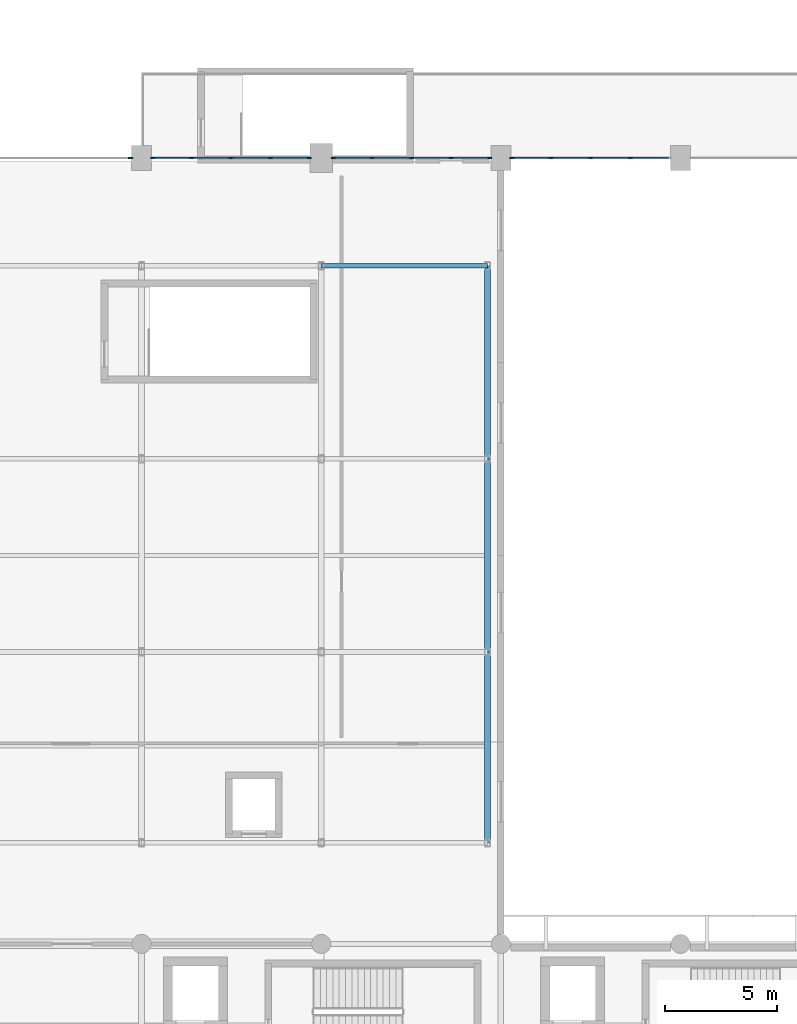
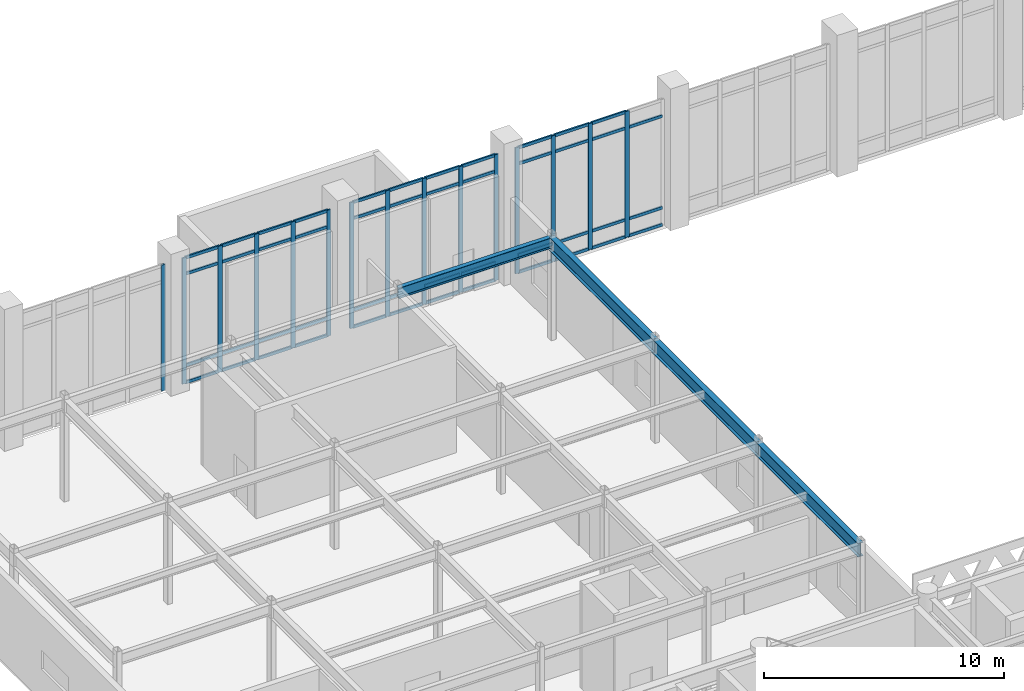
# One storey, part 18 of 84: 62 members, 4 beams, 4 elements without a shape of their own.
"""IFC4 building model written with IfcOpenShell, lengths in metres."""

from ifc_helpers import new_model, si_unit, direction, frame, origin, origin_2d, place, context, subcontext, project, spatial, rectangle, i_section, extrude, material, layer, layer_set, material_profile, profile_set, type_object, element, aggregate, save


model = new_model("IFC4")

# Units and contexts
model_context = context("Model", 3, precision=1e-05, world=origin(), true_north=direction((0.0, 1.0)))
body_context = subcontext(model_context, "Body", "Model", "MODEL_VIEW")
ifc_project = project(units=[si_unit("LENGTHUNIT", "METRE"), si_unit("AREAUNIT", "SQUARE_METRE"), si_unit("VOLUMEUNIT", "CUBIC_METRE"), si_unit("PLANEANGLEUNIT", "RADIAN"), si_unit("MASSUNIT", "GRAM", prefix="KILO")], contexts=[model_context])

# Site, building, storey
site_placement = place(None, origin())
site = spatial("IfcSite", under=ifc_project, at=site_placement, CompositionType="ELEMENT")
building_placement = place(site_placement, origin())
building = spatial("IfcBuilding", under=site, at=building_placement, Name="Tlacozan Convention Centre", CompositionType="ELEMENT")
storey_placement = place(building_placement, frame((0.0, 0.0, 6.0)))
storey = spatial("IfcBuildingStorey", under=building, at=storey_placement, Name="L01", CompositionType="ELEMENT", Elevation=6.0)

# Curtain wall, member
ifc_material_1 = material(Name="Dark Bronze Anodised Aluminium", Category="aluminium")
ifc_layer = layer(ifc_material_1, 0.199951171875)
ifc_layer_set = layer_set([ifc_layer], Name="Dark Bronze Anodised Aluminium")
curtain_wall_type = type_object("IfcCurtainWallType", Name="Exhibition Clerestory Curtain Wall CW10", PredefinedType="NOTDEFINED", material=ifc_layer_set)
curtain_wall_1_placement = place(storey_placement, origin())
curtain_wall_1 = element("IfcCurtainWall", 1, at=curtain_wall_1_placement, inside=storey, type_object=curtain_wall_type, Name="L01 CW-10 Run 10", PredefinedType="NOTDEFINED")
ifc_material_profile_1 = material_profile(ifc_material_1, rectangle(XDim=0.074951171875, YDim=0.199951171875, at=origin_2d()), Name="ALU 75x200")
ifc_profile_set_1 = profile_set([ifc_material_profile_1], Name="Dark Bronze Anodised Aluminium")
member_type_1 = type_object("IfcMemberType", Name="Curtain Wall Heavy Mullion 75x200", PredefinedType="MULLION", material=ifc_profile_set_1)
member_1_placement = place(storey_placement, frame((15.49755859375, 62.0, 0.0), z_axis=(0.0, 0.0, 1.0), x_axis=(0.0, 1.0, 0.0)))
member_1 = element("IfcMember", 2, at=member_1_placement, type_object=member_type_1, Name="CW-10 mullion 5", PredefinedType="MULLION", context=body_context, shape_type="SweptSolid", body=[
    extrude(rectangle(XDim=0.074951171875, YDim=0.199951171875, at=origin_2d()), origin(), (0.0, 0.0, 1.0), 6.39990234375),
])
aggregate(curtain_wall_1, [member_1])

# Curtain wall, members
curtain_wall_2_placement = place(storey_placement, origin())
curtain_wall_2 = element("IfcCurtainWall", 3, at=curtain_wall_2_placement, inside=storey, type_object=curtain_wall_type, Name="L01 CW-10 Run 11", PredefinedType="NOTDEFINED")
member_2_placement = place(storey_placement, frame((16.50244140625, 62.0, 0.0), z_axis=(0.0, 0.0, 1.0), x_axis=(0.0, 1.0, 0.0)))
member_2 = element("IfcMember", 4, at=member_2_placement, type_object=member_type_1, Name="CW-10 mullion 1", PredefinedType="MULLION", context=body_context, shape_type="SweptSolid", body=[
    extrude(rectangle(XDim=0.074951171875, YDim=0.199951171875, at=origin_2d()), origin(), (0.0, 0.0, 1.0), 6.39990234375),
])
member_3_placement = place(storey_placement, frame((18.219970703125, 62.0, 0.0), z_axis=(0.0, 0.0, 1.0), x_axis=(0.0, 1.0, 0.0)))
member_3 = element("IfcMember", 5, at=member_3_placement, type_object=member_type_1, Name="CW-10 mullion 2", PredefinedType="MULLION", context=body_context, shape_type="SweptSolid", body=[
    extrude(rectangle(XDim=0.074951171875, YDim=0.199951171875, at=origin_2d()), origin(), (0.0, 0.0, 1.0), 6.39990234375),
])
member_4_placement = place(storey_placement, frame((19.97509765625, 62.0, 0.0), z_axis=(0.0, 0.0, 1.0), x_axis=(0.0, 1.0, 0.0)))
member_4 = element("IfcMember", 6, at=member_4_placement, type_object=member_type_1, Name="CW-10 mullion 3", PredefinedType="MULLION", context=body_context, shape_type="SweptSolid", body=[
    extrude(rectangle(XDim=0.074951171875, YDim=0.199951171875, at=origin_2d()), origin(), (0.0, 0.0, 1.0), 6.39990234375),
])
member_5_placement = place(storey_placement, frame((21.72998046875, 62.0, 0.0), z_axis=(0.0, 0.0, 1.0), x_axis=(0.0, 1.0, 0.0)))
member_5 = element("IfcMember", 7, at=member_5_placement, type_object=member_type_1, Name="CW-10 mullion 4", PredefinedType="MULLION", context=body_context, shape_type="SweptSolid", body=[
    extrude(rectangle(XDim=0.074951171875, YDim=0.199951171875, at=origin_2d()), origin(), (0.0, 0.0, 1.0), 6.39990234375),
])
member_6_placement = place(storey_placement, frame((23.447509765625, 62.0, 0.0), z_axis=(0.0, 0.0, 1.0), x_axis=(0.0, 1.0, 0.0)))
member_6 = element("IfcMember", 8, at=member_6_placement, type_object=member_type_1, Name="CW-10 mullion 5", PredefinedType="MULLION", context=body_context, shape_type="SweptSolid", body=[
    extrude(rectangle(XDim=0.074951171875, YDim=0.199951171875, at=origin_2d()), origin(), (0.0, 0.0, 1.0), 6.39990234375),
])

curtain_wall_3_placement = place(storey_placement, origin())
curtain_wall_3 = element("IfcCurtainWall", 9, at=curtain_wall_3_placement, inside=storey, type_object=curtain_wall_type, Name="L01 CW-10 Run 12", PredefinedType="NOTDEFINED")
member_7_placement = place(storey_placement, frame((24.552490234375, 62.0, 0.0), z_axis=(0.0, 0.0, 1.0), x_axis=(0.0, 1.0, 0.0)))
member_7 = element("IfcMember", 10, at=member_7_placement, type_object=member_type_1, Name="CW-10 mullion 1", PredefinedType="MULLION", context=body_context, shape_type="SweptSolid", body=[
    extrude(rectangle(XDim=0.074951171875, YDim=0.199951171875, at=origin_2d()), origin(), (0.0, 0.0, 1.0), 6.39990234375),
])
member_8_placement = place(storey_placement, frame((26.27001953125, 62.0, 0.0), z_axis=(0.0, 0.0, 1.0), x_axis=(0.0, 1.0, 0.0)))
member_8 = element("IfcMember", 11, at=member_8_placement, type_object=member_type_1, Name="CW-10 mullion 2", PredefinedType="MULLION", context=body_context, shape_type="SweptSolid", body=[
    extrude(rectangle(XDim=0.074951171875, YDim=0.199951171875, at=origin_2d()), origin(), (0.0, 0.0, 1.0), 6.39990234375),
])
member_9_placement = place(storey_placement, frame((28.02490234375, 62.0, 0.0), z_axis=(0.0, 0.0, 1.0), x_axis=(0.0, 1.0, 0.0)))
member_9 = element("IfcMember", 12, at=member_9_placement, type_object=member_type_1, Name="CW-10 mullion 3", PredefinedType="MULLION", context=body_context, shape_type="SweptSolid", body=[
    extrude(rectangle(XDim=0.074951171875, YDim=0.199951171875, at=origin_2d()), origin(), (0.0, 0.0, 1.0), 6.39990234375),
])
member_10_placement = place(storey_placement, frame((29.780029296875, 62.0, 0.0), z_axis=(0.0, 0.0, 1.0), x_axis=(0.0, 1.0, 0.0)))
member_10 = element("IfcMember", 13, at=member_10_placement, type_object=member_type_1, Name="CW-10 mullion 4", PredefinedType="MULLION", context=body_context, shape_type="SweptSolid", body=[
    extrude(rectangle(XDim=0.074951171875, YDim=0.199951171875, at=origin_2d()), origin(), (0.0, 0.0, 1.0), 6.39990234375),
])
member_11_placement = place(storey_placement, frame((31.49755859375, 62.0, 0.0), z_axis=(0.0, 0.0, 1.0), x_axis=(0.0, 1.0, 0.0)))
member_11 = element("IfcMember", 14, at=member_11_placement, type_object=member_type_1, Name="CW-10 mullion 5", PredefinedType="MULLION", context=body_context, shape_type="SweptSolid", body=[
    extrude(rectangle(XDim=0.074951171875, YDim=0.199951171875, at=origin_2d()), origin(), (0.0, 0.0, 1.0), 6.39990234375),
])

curtain_wall_4_placement = place(storey_placement, origin())
curtain_wall_4 = element("IfcCurtainWall", 15, at=curtain_wall_4_placement, inside=storey, type_object=curtain_wall_type, Name="L01 CW-10 Run 13", PredefinedType="NOTDEFINED")
member_12_placement = place(storey_placement, frame((32.50244140625, 62.0, 0.0), z_axis=(0.0, 0.0, 1.0), x_axis=(0.0, 1.0, 0.0)))
member_12 = element("IfcMember", 16, at=member_12_placement, type_object=member_type_1, Name="CW-10 mullion 1", PredefinedType="MULLION", context=body_context, shape_type="SweptSolid", body=[
    extrude(rectangle(XDim=0.074951171875, YDim=0.199951171875, at=origin_2d()), origin(), (0.0, 0.0, 1.0), 6.39990234375),
])
member_13_placement = place(storey_placement, frame((34.232421875, 62.0, 0.0), z_axis=(0.0, 0.0, 1.0), x_axis=(0.0, 1.0, 0.0)))
member_13 = element("IfcMember", 17, at=member_13_placement, type_object=member_type_1, Name="CW-10 mullion 2", PredefinedType="MULLION", context=body_context, shape_type="SweptSolid", body=[
    extrude(rectangle(XDim=0.074951171875, YDim=0.199951171875, at=origin_2d()), origin(), (0.0, 0.0, 1.0), 6.39990234375),
])
member_14_placement = place(storey_placement, frame((36.0, 62.0, 0.0), z_axis=(0.0, 0.0, 1.0), x_axis=(0.0, 1.0, 0.0)))
member_14 = element("IfcMember", 18, at=member_14_placement, type_object=member_type_1, Name="CW-10 mullion 3", PredefinedType="MULLION", context=body_context, shape_type="SweptSolid", body=[
    extrude(rectangle(XDim=0.074951171875, YDim=0.199951171875, at=origin_2d()), origin(), (0.0, 0.0, 1.0), 6.39990234375),
])
member_15_placement = place(storey_placement, frame((37.767578125, 62.0, 0.0), z_axis=(0.0, 0.0, 1.0), x_axis=(0.0, 1.0, 0.0)))
member_15 = element("IfcMember", 19, at=member_15_placement, type_object=member_type_1, Name="CW-10 mullion 4", PredefinedType="MULLION", context=body_context, shape_type="SweptSolid", body=[
    extrude(rectangle(XDim=0.074951171875, YDim=0.199951171875, at=origin_2d()), origin(), (0.0, 0.0, 1.0), 6.39990234375),
])

# Member
ifc_material_profile_2 = material_profile(ifc_material_1, rectangle(XDim=0.074951171875, YDim=0.14990234375, at=origin_2d()), Name="ALU 75x150")
ifc_profile_set_2 = profile_set([ifc_material_profile_2], Name="Dark Bronze Anodised Aluminium")
member_type_2 = type_object("IfcMemberType", Name="Curtain Wall Heavy Transom 75x150", PredefinedType="USERDEFINED", material=ifc_profile_set_2)
member_16_placement = place(storey_placement, frame((16.5400390625, 62.0, 0.03759765625), z_axis=(1.0, 0.0, 0.0), x_axis=(0.0, 1.0, 0.0)))
member_16 = element("IfcMember", 20, at=member_16_placement, type_object=member_type_2, Name="CW-10 transom 1.1", ObjectType="TRANSOM", PredefinedType="USERDEFINED", context=body_context, shape_type="SweptSolid", body=[
    extrude(rectangle(XDim=0.074951171875, YDim=0.14990234375, at=origin_2d()), origin(), (0.0, 0.0, 1.0), 1.642578125),
])

member_17_placement = place(storey_placement, frame((16.5400390625, 62.0, 0.89990234375), z_axis=(1.0, 0.0, 0.0), x_axis=(0.0, 1.0, 0.0)))
member_17 = element("IfcMember", 21, at=member_17_placement, type_object=member_type_2, Name="CW-10 transom 1.2", ObjectType="TRANSOM", PredefinedType="USERDEFINED", context=body_context, shape_type="SweptSolid", body=[
    extrude(rectangle(XDim=0.074951171875, YDim=0.14990234375, at=origin_2d()), origin(), (0.0, 0.0, 1.0), 1.642578125),
])

member_18_placement = place(storey_placement, frame((16.5400390625, 62.0, 5.550048828125), z_axis=(1.0, 0.0, 0.0), x_axis=(0.0, 1.0, 0.0)))
member_18 = element("IfcMember", 22, at=member_18_placement, type_object=member_type_2, Name="CW-10 transom 1.3", ObjectType="TRANSOM", PredefinedType="USERDEFINED", context=body_context, shape_type="SweptSolid", body=[
    extrude(rectangle(XDim=0.074951171875, YDim=0.14990234375, at=origin_2d()), origin(), (0.0, 0.0, 1.0), 1.642578125),
])

member_19_placement = place(storey_placement, frame((16.5400390625, 62.0, 6.362548828125), z_axis=(1.0, 0.0, 0.0), x_axis=(0.0, 1.0, 0.0)))
member_19 = element("IfcMember", 23, at=member_19_placement, type_object=member_type_2, Name="CW-10 transom 1.4", ObjectType="TRANSOM", PredefinedType="USERDEFINED", context=body_context, shape_type="SweptSolid", body=[
    extrude(rectangle(XDim=0.074951171875, YDim=0.14990234375, at=origin_2d()), origin(), (0.0, 0.0, 1.0), 1.642578125),
])

member_20_placement = place(storey_placement, frame((18.257568359375, 62.0, 0.03759765625), z_axis=(1.0, 0.0, 0.0), x_axis=(0.0, 1.0, 0.0)))
member_20 = element("IfcMember", 24, at=member_20_placement, type_object=member_type_2, Name="CW-10 transom 2.1", ObjectType="TRANSOM", PredefinedType="USERDEFINED", context=body_context, shape_type="SweptSolid", body=[
    extrude(rectangle(XDim=0.074951171875, YDim=0.14990234375, at=origin_2d()), origin(), (0.0, 0.0, 1.0), 1.679931640625),
])

member_21_placement = place(storey_placement, frame((18.257568359375, 62.0, 0.89990234375), z_axis=(1.0, 0.0, 0.0), x_axis=(0.0, 1.0, 0.0)))
member_21 = element("IfcMember", 25, at=member_21_placement, type_object=member_type_2, Name="CW-10 transom 2.2", ObjectType="TRANSOM", PredefinedType="USERDEFINED", context=body_context, shape_type="SweptSolid", body=[
    extrude(rectangle(XDim=0.074951171875, YDim=0.14990234375, at=origin_2d()), origin(), (0.0, 0.0, 1.0), 1.679931640625),
])

member_22_placement = place(storey_placement, frame((18.257568359375, 62.0, 5.550048828125), z_axis=(1.0, 0.0, 0.0), x_axis=(0.0, 1.0, 0.0)))
member_22 = element("IfcMember", 26, at=member_22_placement, type_object=member_type_2, Name="CW-10 transom 2.3", ObjectType="TRANSOM", PredefinedType="USERDEFINED", context=body_context, shape_type="SweptSolid", body=[
    extrude(rectangle(XDim=0.074951171875, YDim=0.14990234375, at=origin_2d()), origin(), (0.0, 0.0, 1.0), 1.679931640625),
])

member_23_placement = place(storey_placement, frame((18.257568359375, 62.0, 6.362548828125), z_axis=(1.0, 0.0, 0.0), x_axis=(0.0, 1.0, 0.0)))
member_23 = element("IfcMember", 27, at=member_23_placement, type_object=member_type_2, Name="CW-10 transom 2.4", ObjectType="TRANSOM", PredefinedType="USERDEFINED", context=body_context, shape_type="SweptSolid", body=[
    extrude(rectangle(XDim=0.074951171875, YDim=0.14990234375, at=origin_2d()), origin(), (0.0, 0.0, 1.0), 1.679931640625),
])

member_24_placement = place(storey_placement, frame((20.012451171875, 62.0, 0.03759765625), z_axis=(1.0, 0.0, 0.0), x_axis=(0.0, 1.0, 0.0)))
member_24 = element("IfcMember", 28, at=member_24_placement, type_object=member_type_2, Name="CW-10 transom 3.1", ObjectType="TRANSOM", PredefinedType="USERDEFINED", context=body_context, shape_type="SweptSolid", body=[
    extrude(rectangle(XDim=0.074951171875, YDim=0.14990234375, at=origin_2d()), origin(), (0.0, 0.0, 1.0), 1.679931640625),
])

member_25_placement = place(storey_placement, frame((20.012451171875, 62.0, 0.89990234375), z_axis=(1.0, 0.0, 0.0), x_axis=(0.0, 1.0, 0.0)))
member_25 = element("IfcMember", 29, at=member_25_placement, type_object=member_type_2, Name="CW-10 transom 3.2", ObjectType="TRANSOM", PredefinedType="USERDEFINED", context=body_context, shape_type="SweptSolid", body=[
    extrude(rectangle(XDim=0.074951171875, YDim=0.14990234375, at=origin_2d()), origin(), (0.0, 0.0, 1.0), 1.679931640625),
])

member_26_placement = place(storey_placement, frame((20.012451171875, 62.0, 5.550048828125), z_axis=(1.0, 0.0, 0.0), x_axis=(0.0, 1.0, 0.0)))
member_26 = element("IfcMember", 30, at=member_26_placement, type_object=member_type_2, Name="CW-10 transom 3.3", ObjectType="TRANSOM", PredefinedType="USERDEFINED", context=body_context, shape_type="SweptSolid", body=[
    extrude(rectangle(XDim=0.074951171875, YDim=0.14990234375, at=origin_2d()), origin(), (0.0, 0.0, 1.0), 1.679931640625),
])

member_27_placement = place(storey_placement, frame((20.012451171875, 62.0, 6.362548828125), z_axis=(1.0, 0.0, 0.0), x_axis=(0.0, 1.0, 0.0)))
member_27 = element("IfcMember", 31, at=member_27_placement, type_object=member_type_2, Name="CW-10 transom 3.4", ObjectType="TRANSOM", PredefinedType="USERDEFINED", context=body_context, shape_type="SweptSolid", body=[
    extrude(rectangle(XDim=0.074951171875, YDim=0.14990234375, at=origin_2d()), origin(), (0.0, 0.0, 1.0), 1.679931640625),
])

member_28_placement = place(storey_placement, frame((21.767578125, 62.0, 0.03759765625), z_axis=(1.0, 0.0, 0.0), x_axis=(0.0, 1.0, 0.0)))
member_28 = element("IfcMember", 32, at=member_28_placement, type_object=member_type_2, Name="CW-10 transom 4.1", ObjectType="TRANSOM", PredefinedType="USERDEFINED", context=body_context, shape_type="SweptSolid", body=[
    extrude(rectangle(XDim=0.074951171875, YDim=0.14990234375, at=origin_2d()), origin(), (0.0, 0.0, 1.0), 1.642333984375),
])

member_29_placement = place(storey_placement, frame((21.767578125, 62.0, 0.89990234375), z_axis=(1.0, 0.0, 0.0), x_axis=(0.0, 1.0, 0.0)))
member_29 = element("IfcMember", 33, at=member_29_placement, type_object=member_type_2, Name="CW-10 transom 4.2", ObjectType="TRANSOM", PredefinedType="USERDEFINED", context=body_context, shape_type="SweptSolid", body=[
    extrude(rectangle(XDim=0.074951171875, YDim=0.14990234375, at=origin_2d()), origin(), (0.0, 0.0, 1.0), 1.642333984375),
])

member_30_placement = place(storey_placement, frame((21.767578125, 62.0, 5.550048828125), z_axis=(1.0, 0.0, 0.0), x_axis=(0.0, 1.0, 0.0)))
member_30 = element("IfcMember", 34, at=member_30_placement, type_object=member_type_2, Name="CW-10 transom 4.3", ObjectType="TRANSOM", PredefinedType="USERDEFINED", context=body_context, shape_type="SweptSolid", body=[
    extrude(rectangle(XDim=0.074951171875, YDim=0.14990234375, at=origin_2d()), origin(), (0.0, 0.0, 1.0), 1.642333984375),
])

member_31_placement = place(storey_placement, frame((21.767578125, 62.0, 6.362548828125), z_axis=(1.0, 0.0, 0.0), x_axis=(0.0, 1.0, 0.0)))
member_31 = element("IfcMember", 35, at=member_31_placement, type_object=member_type_2, Name="CW-10 transom 4.4", ObjectType="TRANSOM", PredefinedType="USERDEFINED", context=body_context, shape_type="SweptSolid", body=[
    extrude(rectangle(XDim=0.074951171875, YDim=0.14990234375, at=origin_2d()), origin(), (0.0, 0.0, 1.0), 1.642333984375),
])

aggregate(curtain_wall_2, [member_2, member_3, member_4, member_5, member_6, member_16, member_17, member_18, member_19, member_20, member_21, member_22, member_23, member_24, member_25, member_26, member_27, member_28, member_29, member_30, member_31])

member_32_placement = place(storey_placement, frame((24.590087890625, 62.0, 0.03759765625), z_axis=(1.0, 0.0, 0.0), x_axis=(0.0, 1.0, 0.0)))
member_32 = element("IfcMember", 36, at=member_32_placement, type_object=member_type_2, Name="CW-10 transom 1.1", ObjectType="TRANSOM", PredefinedType="USERDEFINED", context=body_context, shape_type="SweptSolid", body=[
    extrude(rectangle(XDim=0.074951171875, YDim=0.14990234375, at=origin_2d()), origin(), (0.0, 0.0, 1.0), 1.642333984375),
])

member_33_placement = place(storey_placement, frame((24.590087890625, 62.0, 0.89990234375), z_axis=(1.0, 0.0, 0.0), x_axis=(0.0, 1.0, 0.0)))
member_33 = element("IfcMember", 37, at=member_33_placement, type_object=member_type_2, Name="CW-10 transom 1.2", ObjectType="TRANSOM", PredefinedType="USERDEFINED", context=body_context, shape_type="SweptSolid", body=[
    extrude(rectangle(XDim=0.074951171875, YDim=0.14990234375, at=origin_2d()), origin(), (0.0, 0.0, 1.0), 1.642333984375),
])

member_34_placement = place(storey_placement, frame((24.590087890625, 62.0, 5.550048828125), z_axis=(1.0, 0.0, 0.0), x_axis=(0.0, 1.0, 0.0)))
member_34 = element("IfcMember", 38, at=member_34_placement, type_object=member_type_2, Name="CW-10 transom 1.3", ObjectType="TRANSOM", PredefinedType="USERDEFINED", context=body_context, shape_type="SweptSolid", body=[
    extrude(rectangle(XDim=0.074951171875, YDim=0.14990234375, at=origin_2d()), origin(), (0.0, 0.0, 1.0), 1.642333984375),
])

member_35_placement = place(storey_placement, frame((24.590087890625, 62.0, 6.362548828125), z_axis=(1.0, 0.0, 0.0), x_axis=(0.0, 1.0, 0.0)))
member_35 = element("IfcMember", 39, at=member_35_placement, type_object=member_type_2, Name="CW-10 transom 1.4", ObjectType="TRANSOM", PredefinedType="USERDEFINED", context=body_context, shape_type="SweptSolid", body=[
    extrude(rectangle(XDim=0.074951171875, YDim=0.14990234375, at=origin_2d()), origin(), (0.0, 0.0, 1.0), 1.642333984375),
])

member_36_placement = place(storey_placement, frame((26.3076171875, 62.0, 0.03759765625), z_axis=(1.0, 0.0, 0.0), x_axis=(0.0, 1.0, 0.0)))
member_36 = element("IfcMember", 40, at=member_36_placement, type_object=member_type_2, Name="CW-10 transom 2.1", ObjectType="TRANSOM", PredefinedType="USERDEFINED", context=body_context, shape_type="SweptSolid", body=[
    extrude(rectangle(XDim=0.074951171875, YDim=0.14990234375, at=origin_2d()), origin(), (0.0, 0.0, 1.0), 1.679931640625),
])

member_37_placement = place(storey_placement, frame((26.3076171875, 62.0, 0.89990234375), z_axis=(1.0, 0.0, 0.0), x_axis=(0.0, 1.0, 0.0)))
member_37 = element("IfcMember", 41, at=member_37_placement, type_object=member_type_2, Name="CW-10 transom 2.2", ObjectType="TRANSOM", PredefinedType="USERDEFINED", context=body_context, shape_type="SweptSolid", body=[
    extrude(rectangle(XDim=0.074951171875, YDim=0.14990234375, at=origin_2d()), origin(), (0.0, 0.0, 1.0), 1.679931640625),
])

member_38_placement = place(storey_placement, frame((26.3076171875, 62.0, 5.550048828125), z_axis=(1.0, 0.0, 0.0), x_axis=(0.0, 1.0, 0.0)))
member_38 = element("IfcMember", 42, at=member_38_placement, type_object=member_type_2, Name="CW-10 transom 2.3", ObjectType="TRANSOM", PredefinedType="USERDEFINED", context=body_context, shape_type="SweptSolid", body=[
    extrude(rectangle(XDim=0.074951171875, YDim=0.14990234375, at=origin_2d()), origin(), (0.0, 0.0, 1.0), 1.679931640625),
])

member_39_placement = place(storey_placement, frame((26.3076171875, 62.0, 6.362548828125), z_axis=(1.0, 0.0, 0.0), x_axis=(0.0, 1.0, 0.0)))
member_39 = element("IfcMember", 43, at=member_39_placement, type_object=member_type_2, Name="CW-10 transom 2.4", ObjectType="TRANSOM", PredefinedType="USERDEFINED", context=body_context, shape_type="SweptSolid", body=[
    extrude(rectangle(XDim=0.074951171875, YDim=0.14990234375, at=origin_2d()), origin(), (0.0, 0.0, 1.0), 1.679931640625),
])

member_40_placement = place(storey_placement, frame((28.0625, 62.0, 0.03759765625), z_axis=(1.0, 0.0, 0.0), x_axis=(0.0, 1.0, 0.0)))
member_40 = element("IfcMember", 44, at=member_40_placement, type_object=member_type_2, Name="CW-10 transom 3.1", ObjectType="TRANSOM", PredefinedType="USERDEFINED", context=body_context, shape_type="SweptSolid", body=[
    extrude(rectangle(XDim=0.074951171875, YDim=0.14990234375, at=origin_2d()), origin(), (0.0, 0.0, 1.0), 1.679931640625),
])

member_41_placement = place(storey_placement, frame((28.0625, 62.0, 0.89990234375), z_axis=(1.0, 0.0, 0.0), x_axis=(0.0, 1.0, 0.0)))
member_41 = element("IfcMember", 45, at=member_41_placement, type_object=member_type_2, Name="CW-10 transom 3.2", ObjectType="TRANSOM", PredefinedType="USERDEFINED", context=body_context, shape_type="SweptSolid", body=[
    extrude(rectangle(XDim=0.074951171875, YDim=0.14990234375, at=origin_2d()), origin(), (0.0, 0.0, 1.0), 1.679931640625),
])

member_42_placement = place(storey_placement, frame((28.0625, 62.0, 5.550048828125), z_axis=(1.0, 0.0, 0.0), x_axis=(0.0, 1.0, 0.0)))
member_42 = element("IfcMember", 46, at=member_42_placement, type_object=member_type_2, Name="CW-10 transom 3.3", ObjectType="TRANSOM", PredefinedType="USERDEFINED", context=body_context, shape_type="SweptSolid", body=[
    extrude(rectangle(XDim=0.074951171875, YDim=0.14990234375, at=origin_2d()), origin(), (0.0, 0.0, 1.0), 1.679931640625),
])

member_43_placement = place(storey_placement, frame((28.0625, 62.0, 6.362548828125), z_axis=(1.0, 0.0, 0.0), x_axis=(0.0, 1.0, 0.0)))
member_43 = element("IfcMember", 47, at=member_43_placement, type_object=member_type_2, Name="CW-10 transom 3.4", ObjectType="TRANSOM", PredefinedType="USERDEFINED", context=body_context, shape_type="SweptSolid", body=[
    extrude(rectangle(XDim=0.074951171875, YDim=0.14990234375, at=origin_2d()), origin(), (0.0, 0.0, 1.0), 1.679931640625),
])

member_44_placement = place(storey_placement, frame((29.8173828125, 62.0, 0.03759765625), z_axis=(1.0, 0.0, 0.0), x_axis=(0.0, 1.0, 0.0)))
member_44 = element("IfcMember", 48, at=member_44_placement, type_object=member_type_2, Name="CW-10 transom 4.1", ObjectType="TRANSOM", PredefinedType="USERDEFINED", context=body_context, shape_type="SweptSolid", body=[
    extrude(rectangle(XDim=0.074951171875, YDim=0.14990234375, at=origin_2d()), origin(), (0.0, 0.0, 1.0), 1.642578125),
])

member_45_placement = place(storey_placement, frame((29.8173828125, 62.0, 0.89990234375), z_axis=(1.0, 0.0, 0.0), x_axis=(0.0, 1.0, 0.0)))
member_45 = element("IfcMember", 49, at=member_45_placement, type_object=member_type_2, Name="CW-10 transom 4.2", ObjectType="TRANSOM", PredefinedType="USERDEFINED", context=body_context, shape_type="SweptSolid", body=[
    extrude(rectangle(XDim=0.074951171875, YDim=0.14990234375, at=origin_2d()), origin(), (0.0, 0.0, 1.0), 1.642578125),
])

member_46_placement = place(storey_placement, frame((29.8173828125, 62.0, 5.550048828125), z_axis=(1.0, 0.0, 0.0), x_axis=(0.0, 1.0, 0.0)))
member_46 = element("IfcMember", 50, at=member_46_placement, type_object=member_type_2, Name="CW-10 transom 4.3", ObjectType="TRANSOM", PredefinedType="USERDEFINED", context=body_context, shape_type="SweptSolid", body=[
    extrude(rectangle(XDim=0.074951171875, YDim=0.14990234375, at=origin_2d()), origin(), (0.0, 0.0, 1.0), 1.642578125),
])

member_47_placement = place(storey_placement, frame((29.8173828125, 62.0, 6.362548828125), z_axis=(1.0, 0.0, 0.0), x_axis=(0.0, 1.0, 0.0)))
member_47 = element("IfcMember", 51, at=member_47_placement, type_object=member_type_2, Name="CW-10 transom 4.4", ObjectType="TRANSOM", PredefinedType="USERDEFINED", context=body_context, shape_type="SweptSolid", body=[
    extrude(rectangle(XDim=0.074951171875, YDim=0.14990234375, at=origin_2d()), origin(), (0.0, 0.0, 1.0), 1.642578125),
])

aggregate(curtain_wall_3, [member_7, member_8, member_9, member_10, member_11, member_32, member_33, member_34, member_35, member_36, member_37, member_38, member_39, member_40, member_41, member_42, member_43, member_44, member_45, member_46, member_47])

member_48_placement = place(storey_placement, frame((32.5400390625, 62.0, 0.03759765625), z_axis=(1.0, 0.0, 0.0), x_axis=(0.0, 1.0, 0.0)))
member_48 = element("IfcMember", 52, at=member_48_placement, type_object=member_type_2, Name="CW-10 transom 1.1", ObjectType="TRANSOM", PredefinedType="USERDEFINED", context=body_context, shape_type="SweptSolid", body=[
    extrude(rectangle(XDim=0.074951171875, YDim=0.14990234375, at=origin_2d()), origin(), (0.0, 0.0, 1.0), 1.655029296875),
])

member_49_placement = place(storey_placement, frame((32.5400390625, 62.0, 0.89990234375), z_axis=(1.0, 0.0, 0.0), x_axis=(0.0, 1.0, 0.0)))
member_49 = element("IfcMember", 53, at=member_49_placement, type_object=member_type_2, Name="CW-10 transom 1.2", ObjectType="TRANSOM", PredefinedType="USERDEFINED", context=body_context, shape_type="SweptSolid", body=[
    extrude(rectangle(XDim=0.074951171875, YDim=0.14990234375, at=origin_2d()), origin(), (0.0, 0.0, 1.0), 1.655029296875),
])

member_50_placement = place(storey_placement, frame((32.5400390625, 62.0, 5.550048828125), z_axis=(1.0, 0.0, 0.0), x_axis=(0.0, 1.0, 0.0)))
member_50 = element("IfcMember", 54, at=member_50_placement, type_object=member_type_2, Name="CW-10 transom 1.3", ObjectType="TRANSOM", PredefinedType="USERDEFINED", context=body_context, shape_type="SweptSolid", body=[
    extrude(rectangle(XDim=0.074951171875, YDim=0.14990234375, at=origin_2d()), origin(), (0.0, 0.0, 1.0), 1.655029296875),
])

member_51_placement = place(storey_placement, frame((32.5400390625, 62.0, 6.362548828125), z_axis=(1.0, 0.0, 0.0), x_axis=(0.0, 1.0, 0.0)))
member_51 = element("IfcMember", 55, at=member_51_placement, type_object=member_type_2, Name="CW-10 transom 1.4", ObjectType="TRANSOM", PredefinedType="USERDEFINED", context=body_context, shape_type="SweptSolid", body=[
    extrude(rectangle(XDim=0.074951171875, YDim=0.14990234375, at=origin_2d()), origin(), (0.0, 0.0, 1.0), 1.655029296875),
])

member_52_placement = place(storey_placement, frame((34.27001953125, 62.0, 0.03759765625), z_axis=(1.0, 0.0, 0.0), x_axis=(0.0, 1.0, 0.0)))
member_52 = element("IfcMember", 56, at=member_52_placement, type_object=member_type_2, Name="CW-10 transom 2.1", ObjectType="TRANSOM", PredefinedType="USERDEFINED", context=body_context, shape_type="SweptSolid", body=[
    extrude(rectangle(XDim=0.074951171875, YDim=0.14990234375, at=origin_2d()), origin(), (0.0, 0.0, 1.0), 1.6923828125),
])

member_53_placement = place(storey_placement, frame((34.27001953125, 62.0, 0.89990234375), z_axis=(1.0, 0.0, 0.0), x_axis=(0.0, 1.0, 0.0)))
member_53 = element("IfcMember", 57, at=member_53_placement, type_object=member_type_2, Name="CW-10 transom 2.2", ObjectType="TRANSOM", PredefinedType="USERDEFINED", context=body_context, shape_type="SweptSolid", body=[
    extrude(rectangle(XDim=0.074951171875, YDim=0.14990234375, at=origin_2d()), origin(), (0.0, 0.0, 1.0), 1.6923828125),
])

member_54_placement = place(storey_placement, frame((34.27001953125, 62.0, 5.550048828125), z_axis=(1.0, 0.0, 0.0), x_axis=(0.0, 1.0, 0.0)))
member_54 = element("IfcMember", 58, at=member_54_placement, type_object=member_type_2, Name="CW-10 transom 2.3", ObjectType="TRANSOM", PredefinedType="USERDEFINED", context=body_context, shape_type="SweptSolid", body=[
    extrude(rectangle(XDim=0.074951171875, YDim=0.14990234375, at=origin_2d()), origin(), (0.0, 0.0, 1.0), 1.6923828125),
])

member_55_placement = place(storey_placement, frame((34.27001953125, 62.0, 6.362548828125), z_axis=(1.0, 0.0, 0.0), x_axis=(0.0, 1.0, 0.0)))
member_55 = element("IfcMember", 59, at=member_55_placement, type_object=member_type_2, Name="CW-10 transom 2.4", ObjectType="TRANSOM", PredefinedType="USERDEFINED", context=body_context, shape_type="SweptSolid", body=[
    extrude(rectangle(XDim=0.074951171875, YDim=0.14990234375, at=origin_2d()), origin(), (0.0, 0.0, 1.0), 1.6923828125),
])

member_56_placement = place(storey_placement, frame((36.03759765625, 62.0, 0.03759765625), z_axis=(1.0, 0.0, 0.0), x_axis=(0.0, 1.0, 0.0)))
member_56 = element("IfcMember", 60, at=member_56_placement, type_object=member_type_2, Name="CW-10 transom 3.1", ObjectType="TRANSOM", PredefinedType="USERDEFINED", context=body_context, shape_type="SweptSolid", body=[
    extrude(rectangle(XDim=0.074951171875, YDim=0.14990234375, at=origin_2d()), origin(), (0.0, 0.0, 1.0), 1.6923828125),
])

member_57_placement = place(storey_placement, frame((36.03759765625, 62.0, 0.89990234375), z_axis=(1.0, 0.0, 0.0), x_axis=(0.0, 1.0, 0.0)))
member_57 = element("IfcMember", 61, at=member_57_placement, type_object=member_type_2, Name="CW-10 transom 3.2", ObjectType="TRANSOM", PredefinedType="USERDEFINED", context=body_context, shape_type="SweptSolid", body=[
    extrude(rectangle(XDim=0.074951171875, YDim=0.14990234375, at=origin_2d()), origin(), (0.0, 0.0, 1.0), 1.6923828125),
])

member_58_placement = place(storey_placement, frame((36.03759765625, 62.0, 5.550048828125), z_axis=(1.0, 0.0, 0.0), x_axis=(0.0, 1.0, 0.0)))
member_58 = element("IfcMember", 62, at=member_58_placement, type_object=member_type_2, Name="CW-10 transom 3.3", ObjectType="TRANSOM", PredefinedType="USERDEFINED", context=body_context, shape_type="SweptSolid", body=[
    extrude(rectangle(XDim=0.074951171875, YDim=0.14990234375, at=origin_2d()), origin(), (0.0, 0.0, 1.0), 1.6923828125),
])

member_59_placement = place(storey_placement, frame((36.03759765625, 62.0, 6.362548828125), z_axis=(1.0, 0.0, 0.0), x_axis=(0.0, 1.0, 0.0)))
member_59 = element("IfcMember", 63, at=member_59_placement, type_object=member_type_2, Name="CW-10 transom 3.4", ObjectType="TRANSOM", PredefinedType="USERDEFINED", context=body_context, shape_type="SweptSolid", body=[
    extrude(rectangle(XDim=0.074951171875, YDim=0.14990234375, at=origin_2d()), origin(), (0.0, 0.0, 1.0), 1.6923828125),
])

member_60_placement = place(storey_placement, frame((37.804931640625, 62.0, 0.03759765625), z_axis=(1.0, 0.0, 0.0), x_axis=(0.0, 1.0, 0.0)))
member_60 = element("IfcMember", 64, at=member_60_placement, type_object=member_type_2, Name="CW-10 transom 4.1", ObjectType="TRANSOM", PredefinedType="USERDEFINED", context=body_context, shape_type="SweptSolid", body=[
    extrude(rectangle(XDim=0.074951171875, YDim=0.14990234375, at=origin_2d()), origin(), (0.0, 0.0, 1.0), 1.655029296875),
])

member_61_placement = place(storey_placement, frame((37.804931640625, 62.0, 0.89990234375), z_axis=(1.0, 0.0, 0.0), x_axis=(0.0, 1.0, 0.0)))
member_61 = element("IfcMember", 65, at=member_61_placement, type_object=member_type_2, Name="CW-10 transom 4.2", ObjectType="TRANSOM", PredefinedType="USERDEFINED", context=body_context, shape_type="SweptSolid", body=[
    extrude(rectangle(XDim=0.074951171875, YDim=0.14990234375, at=origin_2d()), origin(), (0.0, 0.0, 1.0), 1.655029296875),
])

member_62_placement = place(storey_placement, frame((37.804931640625, 62.0, 5.550048828125), z_axis=(1.0, 0.0, 0.0), x_axis=(0.0, 1.0, 0.0)))
member_62 = element("IfcMember", 66, at=member_62_placement, type_object=member_type_2, Name="CW-10 transom 4.3", ObjectType="TRANSOM", PredefinedType="USERDEFINED", context=body_context, shape_type="SweptSolid", body=[
    extrude(rectangle(XDim=0.074951171875, YDim=0.14990234375, at=origin_2d()), origin(), (0.0, 0.0, 1.0), 1.655029296875),
])

aggregate(curtain_wall_4, [member_12, member_13, member_14, member_15, member_48, member_49, member_50, member_51, member_52, member_53, member_54, member_55, member_56, member_57, member_58, member_59, member_60, member_61, member_62])

# Beams
ifc_material_2 = material(Name="Steel ASTM A992 Grade 50", Category="steel")
ifc_material_profile_3 = material_profile(ifc_material_2, i_section(OverallWidth=0.2109375, OverallDepth=0.5390625, WebThickness=0.01171875, FlangeThickness=0.018798828125, FilletRadius=0.012939453125, at=origin_2d()), Name="IR 533x109.0")
ifc_profile_set_3 = profile_set([ifc_material_profile_3], Name="Steel ASTM A992 Grade 50")
beam_type_1 = type_object("IfcBeamType", Name="Floor Beam IR 533x109", PredefinedType="BEAM", material=ifc_profile_set_3)
beam_1_placement = place(storey_placement, frame((24.0, 57.199951171875, 4.910400390625), z_axis=(1.0, 0.0, 0.0), x_axis=(0.0, 1.0, 0.0)))
element("IfcBeam", 67, at=beam_1_placement, inside=storey, type_object=beam_type_1, Name="L01 Floor Beam IR 533x109 1720", PredefinedType="BEAM", context=body_context, shape_type="SweptSolid", body=[
    extrude(i_section(OverallWidth=0.2109375, OverallDepth=0.5390625, WebThickness=0.01171875, FlangeThickness=0.018798828125, FilletRadius=0.012939453125, at=origin_2d()), origin(), (0.0, 0.0, 1.0), 7.39990234375),
])
ifc_material_profile_4 = material_profile(ifc_material_2, i_section(OverallWidth=0.256103515625, OverallDepth=0.693115234375, WebThickness=0.014404296875, FlangeThickness=0.023681640625, FilletRadius=0.014892578125, at=origin_2d()), Name="IR 686x170.0")
ifc_profile_set_4 = profile_set([ifc_material_profile_4], Name="Steel ASTM A992 Grade 50")
beam_type_2 = type_object("IfcBeamType", Name="Girder Steel IR 686x170", PredefinedType="BEAM", material=ifc_profile_set_4)
beam_2_placement = place(storey_placement, frame((31.39990234375, 31.5, 4.83349609375), z_axis=(0.0, 1.0, 0.0), x_axis=(-1.0, 0.0, 0.0)))
element("IfcBeam", 68, at=beam_2_placement, inside=storey, type_object=beam_type_2, Name="L01 Girder Steel IR 686x170 1698", PredefinedType="BEAM", context=body_context, shape_type="SweptSolid", body=[
    extrude(i_section(OverallWidth=0.256103515625, OverallDepth=0.693115234375, WebThickness=0.014404296875, FlangeThickness=0.023681640625, FilletRadius=0.014892578125, at=origin_2d()), origin(), (0.0, 0.0, 1.0), 8.5),
])
beam_3_placement = place(storey_placement, frame((31.39990234375, 40.0, 4.83349609375), z_axis=(0.0, 1.0, 0.0), x_axis=(-1.0, 0.0, 0.0)))
element("IfcBeam", 69, at=beam_3_placement, inside=storey, type_object=beam_type_2, Name="L01 Girder Steel IR 686x170 1699", PredefinedType="BEAM", context=body_context, shape_type="SweptSolid", body=[
    extrude(i_section(OverallWidth=0.256103515625, OverallDepth=0.693115234375, WebThickness=0.014404296875, FlangeThickness=0.023681640625, FilletRadius=0.014892578125, at=origin_2d()), origin(), (0.0, 0.0, 1.0), 8.60009765625),
])
beam_4_placement = place(storey_placement, frame((31.39990234375, 48.60009765625, 4.83349609375), z_axis=(0.0, 1.0, 0.0), x_axis=(-1.0, 0.0, 0.0)))
element("IfcBeam", 70, at=beam_4_placement, inside=storey, type_object=beam_type_2, Name="L01 Girder Steel IR 686x170 1700", PredefinedType="BEAM", context=body_context, shape_type="SweptSolid", body=[
    extrude(i_section(OverallWidth=0.256103515625, OverallDepth=0.693115234375, WebThickness=0.014404296875, FlangeThickness=0.023681640625, FilletRadius=0.014892578125, at=origin_2d()), origin(), (0.0, 0.0, 1.0), 8.599853515625),
])

save(model, "model.ifc")
